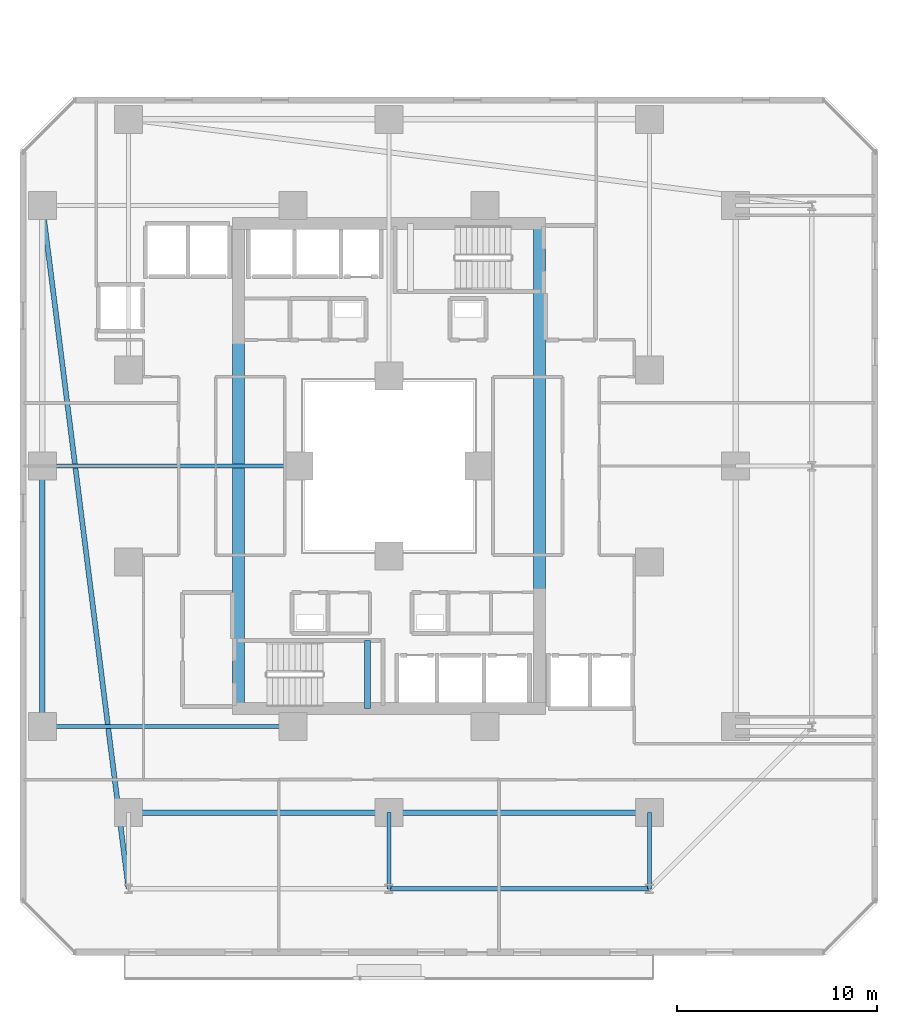
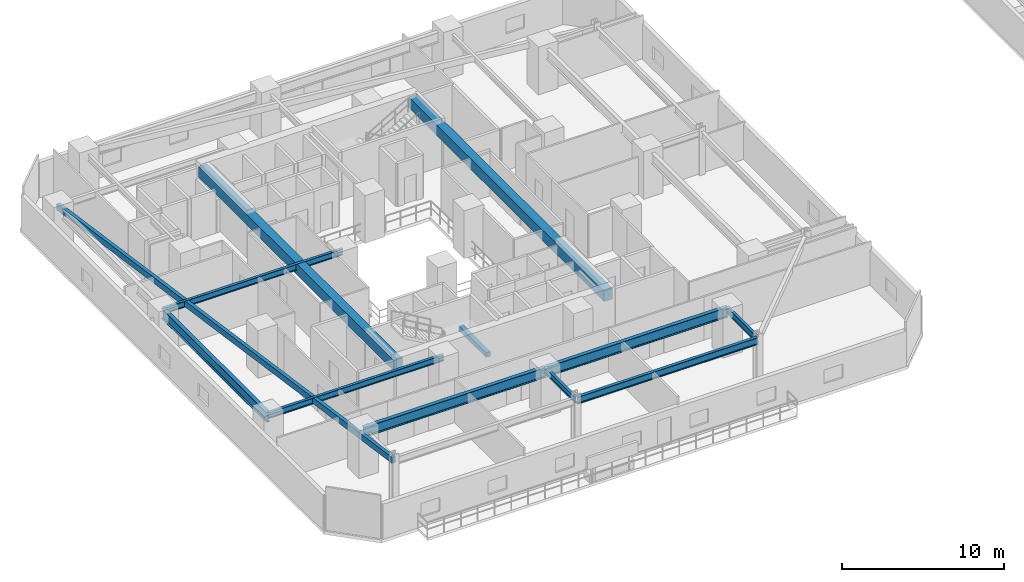
# One storey, part 4 of 36: 12 beams.
"""IFC4 building model written with IfcOpenShell, lengths in metres."""

from ifc_helpers import new_model, si_unit, direction, frame, origin, origin_2d, place, context, subcontext, project, spatial, rectangle, hollow_rectangle, i_section, extrude, material, material_profile, profile_set, type_object, element, save


model = new_model("IFC4")

# Units and contexts
model_context = context("Model", 3, precision=1e-05, world=origin(), true_north=direction((0.0, 1.0)))
body_context = subcontext(model_context, "Body", "Model", "MODEL_VIEW")
ifc_project = project(units=[si_unit("LENGTHUNIT", "METRE"), si_unit("AREAUNIT", "SQUARE_METRE"), si_unit("VOLUMEUNIT", "CUBIC_METRE"), si_unit("PLANEANGLEUNIT", "RADIAN"), si_unit("MASSUNIT", "GRAM", prefix="KILO")], contexts=[model_context])

# Site, building, storey
site_placement = place(None, origin())
site = spatial("IfcSite", under=ifc_project, at=site_placement, CompositionType="ELEMENT")
building_placement = place(site_placement, origin())
building = spatial("IfcBuilding", under=site, at=building_placement, Name="Thornwick Lancets Civic Towers", CompositionType="ELEMENT")
storey_placement = place(building_placement, frame((0.0, 0.0, 68.10009765625)))
storey = spatial("IfcBuildingStorey", under=building, at=storey_placement, Name="L17", CompositionType="ELEMENT", Elevation=68.10009765625)

# Beams
ifc_material_1 = material(Name="Concrete C60/75", Category="concrete")
ifc_material_profile_1 = material_profile(ifc_material_1, rectangle(XDim=0.60009765625, YDim=0.800048828125, at=origin_2d()), Name="RC 600x800")
ifc_profile_set_1 = profile_set([ifc_material_profile_1], Name="Concrete C60/75")
beam_type_1 = type_object("IfcBeamType", Name="BM_COUP_RC800", PredefinedType="BEAM", material=ifc_profile_set_1)
for number, where, z_axis, x_axis, name in (
    (1, (33.0, 14.89990234375, 2.8798828125), (0.0, 1.0, 0.0), (-1.0, 0.0, 0.0), "CB-L17-A1"),
    (2, (18.0, 14.89990234375, 2.8798828125), (0.0, 1.0, 0.0), (-1.0, 0.0, 0.0), "CB-L17-A2"),
):
    element("IfcBeam", number, at=place(storey_placement, frame(where, z_axis=z_axis, x_axis=x_axis)), inside=storey, type_object=beam_type_1, Name=name, PredefinedType="BEAM", context=body_context, shape_type="SweptSolid", body=[
        extrude(rectangle(XDim=0.60009765625, YDim=0.800048828125, at=origin_2d()), origin(), (0.0, 0.0, 1.0), 24.2001953125),
    ])
ifc_material_2 = material(Name="Steel S355JR", Category="steel")
ifc_material_profile_2 = material_profile(ifc_material_2, i_section(OverallWidth=0.2119140625, OverallDepth=0.54443359375, WebThickness=0.0126953125, FlangeThickness=0.021240234375, FilletRadius=0.0126953125, at=origin_2d()), Name="UKB 533x210x122")
ifc_profile_set_2 = profile_set([ifc_material_profile_2], Name="Steel S355JR")
beam_type_2 = type_object("IfcBeamType", Name="BM_EDGE_533_122", PredefinedType="SPANDREL", material=ifc_profile_set_2)
beam_1_placement = place(storey_placement, frame((25.580078125, 5.89990234375, 3.007568359375), z_axis=(1.0, 0.0, 0.0), x_axis=(0.0, 1.0, 0.0)))
element("IfcBeam", 3, at=beam_1_placement, inside=storey, type_object=beam_type_2, Name="BM-EDGE-L17-A-S0-2", PredefinedType="SPANDREL", context=body_context, shape_type="SweptSolid", body=[
    extrude(i_section(OverallWidth=0.2119140625, OverallDepth=0.54443359375, WebThickness=0.0126953125, FlangeThickness=0.021240234375, FilletRadius=0.0126953125, at=origin_2d()), origin(), (0.0, 0.0, 1.0), 12.919921875),
])
ifc_material_profile_3 = material_profile(ifc_material_2, i_section(OverallWidth=0.26806640625, OverallDepth=0.769775390625, WebThickness=0.015625, FlangeThickness=0.025390625, FilletRadius=0.0166015625, at=origin_2d()), Name="UKB 762x267x197")
ifc_profile_set_3 = profile_set([ifc_material_profile_3], Name="Steel S355JR")
beam_type_3 = type_object("IfcBeamType", Name="BM_GIRD_762_197", PredefinedType="BEAM", material=ifc_profile_set_3)
beam_2_placement = place(storey_placement, frame((12.5, 9.699951171875, 2.89501953125), z_axis=(1.0, 0.0, 0.0), x_axis=(0.0, 1.0, 0.0)))
element("IfcBeam", 4, at=beam_2_placement, inside=storey, type_object=beam_type_3, Name="BM-SPINE-L17-A-0-1", PredefinedType="BEAM", context=body_context, shape_type="SweptSolid", body=[
    extrude(i_section(OverallWidth=0.26806640625, OverallDepth=0.769775390625, WebThickness=0.015625, FlangeThickness=0.025390625, FilletRadius=0.0166015625, at=origin_2d()), origin(), (0.0, 0.0, 1.0), 13.0),
])
beam_3_placement = place(storey_placement, frame((25.580078125, 9.699951171875, 2.89501953125), z_axis=(1.0, 0.0, 0.0), x_axis=(0.0, 1.0, 0.0)))
element("IfcBeam", 5, at=beam_3_placement, inside=storey, type_object=beam_type_3, Name="BM-SPINE-L17-A-1-2", PredefinedType="BEAM", context=body_context, shape_type="SweptSolid", body=[
    extrude(i_section(OverallWidth=0.26806640625, OverallDepth=0.769775390625, WebThickness=0.015625, FlangeThickness=0.025390625, FilletRadius=0.0166015625, at=origin_2d()), origin(), (0.0, 0.0, 1.0), 12.919921875),
])
beam_4_placement = place(storey_placement, frame((8.199951171875, 14.0, 2.89501953125), z_axis=(0.0, 1.0, 0.0), x_axis=(-1.0, 0.0, 0.0)))
element("IfcBeam", 6, at=beam_4_placement, inside=storey, type_object=beam_type_3, Name="BM-SPINE-L17-A-9-10", PredefinedType="BEAM", context=body_context, shape_type="SweptSolid", body=[
    extrude(i_section(OverallWidth=0.26806640625, OverallDepth=0.769775390625, WebThickness=0.015625, FlangeThickness=0.025390625, FilletRadius=0.0166015625, at=origin_2d()), origin(), (0.0, 0.0, 1.0), 13.0),
])
ifc_material_profile_4 = material_profile(ifc_material_2, i_section(OverallWidth=0.19287109375, OverallDepth=0.46728515625, WebThickness=0.011474609375, FlangeThickness=0.01953125, FilletRadius=0.01025390625, at=origin_2d()), Name="UKB 457x191x98")
ifc_profile_set_4 = profile_set([ifc_material_profile_4], Name="Steel S355JR")
beam_type_4 = type_object("IfcBeamType", Name="BM_JOIST_457_98", PredefinedType="JOIST", material=ifc_profile_set_4)
for number, where, z_axis, x_axis, name in (
    (7, (25.5, 9.699951171875, 3.04638671875), (0.0, -1.0, 0.0), (1.0, 0.0, 0.0), "BM-RAD-L17-A02"),
    (8, (38.5, 9.699951171875, 3.04638671875), (0.0, -1.0, 0.0), (1.0, 0.0, 0.0), "BM-RAD-L17-A03"),
):
    element("IfcBeam", number, at=place(storey_placement, frame(where, z_axis=z_axis, x_axis=x_axis)), inside=storey, type_object=beam_type_4, Name=name, PredefinedType="JOIST", context=body_context, shape_type="SweptSolid", body=[
        extrude(i_section(OverallWidth=0.19287109375, OverallDepth=0.46728515625, WebThickness=0.011474609375, FlangeThickness=0.01953125, FilletRadius=0.01025390625, at=origin_2d()), origin(), (0.0, 0.0, 1.0), 3.800048828125),
    ])
beam_5_placement = place(storey_placement, frame((20.699951171875, 14.0, 3.04638671875), z_axis=(-1.0, 0.0, 0.0), x_axis=(0.0, -1.0, 0.0)))
element("IfcBeam", 9, at=beam_5_placement, inside=storey, type_object=beam_type_4, Name="BM-RADIN-L17-A10", PredefinedType="JOIST", context=body_context, shape_type="SweptSolid", body=[
    extrude(i_section(OverallWidth=0.19287109375, OverallDepth=0.46728515625, WebThickness=0.011474609375, FlangeThickness=0.01953125, FilletRadius=0.01025390625, at=origin_2d()), origin(), (0.0, 0.0, 1.0), 12.5),
])
beam_6_placement = place(storey_placement, frame((21.0, 27.0, 3.04638671875), z_axis=(-1.0, 0.0, 0.0), x_axis=(0.0, -1.0, 0.0)))
element("IfcBeam", 10, at=beam_6_placement, inside=storey, type_object=beam_type_4, Name="BM-RADIN-L17-A11", PredefinedType="JOIST", context=body_context, shape_type="SweptSolid", body=[
    extrude(i_section(OverallWidth=0.19287109375, OverallDepth=0.46728515625, WebThickness=0.011474609375, FlangeThickness=0.01953125, FilletRadius=0.01025390625, at=origin_2d()), origin(), (0.0, 0.0, 1.0), 12.800048828125),
])
ifc_material_profile_5 = material_profile(ifc_material_2, hollow_rectangle(XDim=0.25, YDim=0.449951171875, WallThickness=0.01611328125, at=origin_2d()), Name="RHS 450x250x16")
ifc_profile_set_5 = profile_set([ifc_material_profile_5], Name="Steel S355JR")
beam_type_5 = type_object("IfcBeamType", Name="BM_RING_RHS450", PredefinedType="BEAM", material=ifc_profile_set_5)
beam_7_placement = place(storey_placement, frame((8.199951171875, 40.0, 3.054931640625), z_axis=(0.12510998836, -0.992142878225, 0.0), x_axis=(0.992142878225, 0.12510998836, 0.0)))
element("IfcBeam", 11, at=beam_7_placement, inside=storey, type_object=beam_type_5, Name="BM-CHAMF-L17-A-C3", PredefinedType="BEAM", context=body_context, shape_type="SweptSolid", body=[
    extrude(hollow_rectangle(XDim=0.25, YDim=0.449951171875, WallThickness=0.01611328125, at=origin_2d()), origin(), (0.0, 0.0, 1.0), 34.3701171875),
])
ifc_material_3 = material(Name="Concrete C40/50", Category="concrete")
ifc_material_profile_6 = material_profile(ifc_material_3, rectangle(XDim=0.300048828125, YDim=0.35009765625, at=origin_2d()), Name="RC 300x350")
ifc_profile_set_6 = profile_set([ifc_material_profile_6], Name="Concrete C40/50")
beam_type_6 = type_object("IfcBeamType", Name="BM_STAIR_LDG", PredefinedType="BEAM", material=ifc_profile_set_6)
beam_8_placement = place(storey_placement, frame((24.43505859375, 14.89990234375, 1.3779296875), z_axis=(0.0, 1.0, 0.0), x_axis=(-1.0, 0.0, 0.0)))
element("IfcBeam", 12, at=beam_8_placement, inside=storey, type_object=beam_type_6, Name="L17 ST-A1 Landing Support Beam 1", PredefinedType="BEAM", context=body_context, shape_type="SweptSolid", body=[
    extrude(rectangle(XDim=0.300048828125, YDim=0.35009765625, at=origin_2d()), origin(), (0.0, 0.0, 1.0), 3.400146484375),
])

save(model, "model.ifc")
